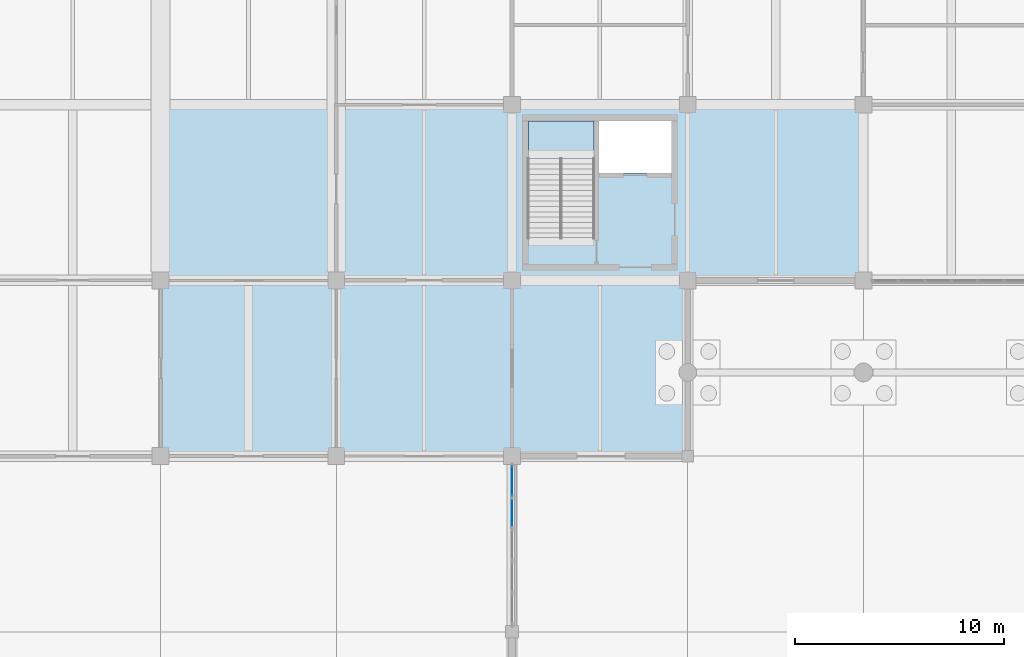
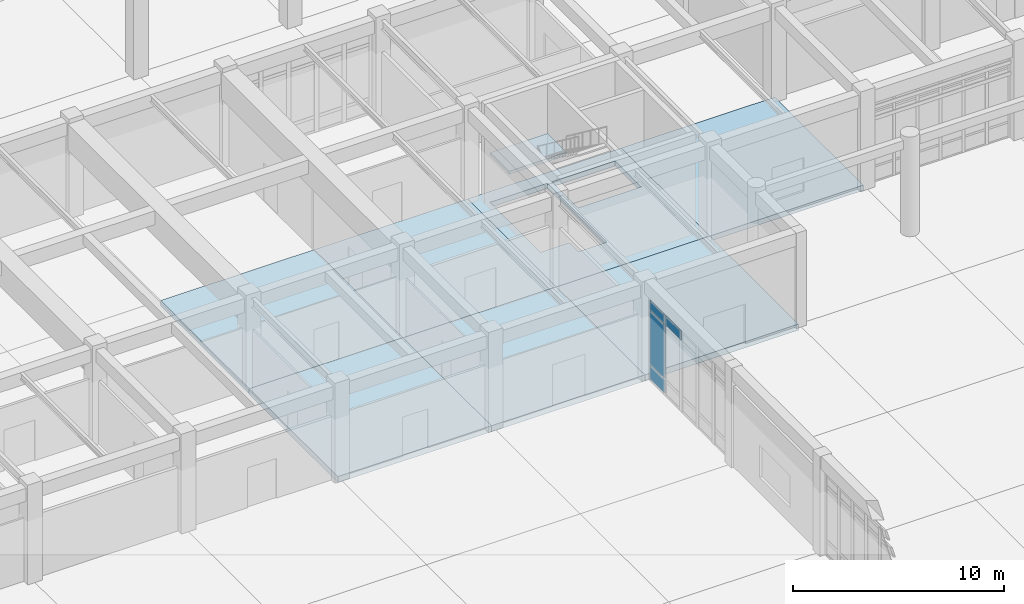
# One storey, part 51 of 91: 8 slabs, 4 plates, 2 elements without a shape of their own.
"""IFC4 building model written with IfcOpenShell, lengths in metres."""

from ifc_helpers import new_model, si_unit, direction, frame, origin, origin_2d, place, context, subcontext, project, spatial, polyline, rectangle, outline, extrude, material, layer, layer_set, type_object, element, aggregate, save


model = new_model("IFC4")

# Units and contexts
model_context = context("Model", 3, precision=1e-05, world=origin(), true_north=direction((0.0, 1.0)))
body_context = subcontext(model_context, "Body", "Model", "MODEL_VIEW")
ifc_project = project(units=[si_unit("LENGTHUNIT", "METRE"), si_unit("AREAUNIT", "SQUARE_METRE"), si_unit("VOLUMEUNIT", "CUBIC_METRE"), si_unit("PLANEANGLEUNIT", "RADIAN"), si_unit("MASSUNIT", "GRAM", prefix="KILO")], contexts=[model_context])

# Site, building, storey
site_placement = place(None, origin())
site = spatial("IfcSite", under=ifc_project, at=site_placement, CompositionType="ELEMENT")
building_placement = place(site_placement, origin())
building = spatial("IfcBuilding", under=site, at=building_placement, Name="Porcellanite Civic Hall", CompositionType="ELEMENT")
storey_placement = place(building_placement, origin())
storey = spatial("IfcBuildingStorey", under=building, at=storey_placement, Name="L00", CompositionType="ELEMENT", Elevation=0.0)

# Curtain wall, plates
ifc_material_1 = material(Name="Anodised aluminium and solar laminated glass", Category="aluminium")
ifc_layer_1 = layer(ifc_material_1, 0.179931640625)
ifc_layer_set_1 = layer_set([ifc_layer_1], Name="Anodised aluminium and solar laminated glass")
curtain_wall_type = type_object("IfcCurtainWallType", Name="CW-SYS01", PredefinedType="NOTDEFINED", material=ifc_layer_set_1)
curtain_wall_placement = place(storey_placement, origin())
curtain_wall = element("IfcCurtainWall", 1, at=curtain_wall_placement, inside=storey, type_object=curtain_wall_type, Name="Curtain wall CW-033", PredefinedType="NOTDEFINED")
ifc_material_2 = material(Name="Cyclone laminated solar-control low-E glass", Category="glass")
ifc_layer_2 = layer(ifc_material_2, 0.02392578125)
ifc_layer_set_2 = layer_set([ifc_layer_2], Name="Cyclone laminated solar-control low-E glass")
plate_type = type_object("IfcPlateType", Name="CWP-01", PredefinedType="CURTAIN_PANEL", material=ifc_layer_set_2)
plate_1_placement = place(storey_placement, frame((109.199951171875, 40.80908203125, 0.070068359375), z_axis=(0.0, 0.0, 1.0), x_axis=(0.0, -1.0, 0.0)))
plate_1 = element("IfcPlate", 2, at=plate_1_placement, type_object=plate_type, Name="CW-033 panel 1.1", PredefinedType="CURTAIN_PANEL", context=body_context, shape_type="SweptSolid", body=[
    extrude(rectangle(XDim=1.419677734375, YDim=0.02392578125, at=origin_2d()), origin(), (0.0, 0.0, 1.0), 0.794921875),
])
plate_2_placement = place(storey_placement, frame((109.199951171875, 40.80908203125, 0.93505859375), z_axis=(0.0, 0.0, 1.0), x_axis=(0.0, -1.0, 0.0)))
plate_2 = element("IfcPlate", 3, at=plate_2_placement, type_object=plate_type, Name="CW-033 panel 1.2", PredefinedType="CURTAIN_PANEL", context=body_context, shape_type="SweptSolid", body=[
    extrude(rectangle(XDim=1.419677734375, YDim=0.02392578125, at=origin_2d()), origin(), (0.0, 0.0, 1.0), 3.080078125),
])
plate_3_placement = place(storey_placement, frame((109.199951171875, 40.80908203125, 4.0849609375), z_axis=(0.0, 0.0, 1.0), x_axis=(0.0, -1.0, 0.0)))
plate_3 = element("IfcPlate", 4, at=plate_3_placement, type_object=plate_type, Name="CW-033 panel 1.3", PredefinedType="CURTAIN_PANEL", context=body_context, shape_type="SweptSolid", body=[
    extrude(rectangle(XDim=1.419677734375, YDim=0.02392578125, at=origin_2d()), origin(), (0.0, 0.0, 1.0), 0.544921875),
])
plate_4_placement = place(storey_placement, frame((109.199951171875, 39.28955078125, 4.0849609375), z_axis=(0.0, 0.0, 1.0), x_axis=(0.0, -1.0, 0.0)))
plate_4 = element("IfcPlate", 5, at=plate_4_placement, type_object=plate_type, Name="CW-033 panel 2.3", PredefinedType="CURTAIN_PANEL", context=body_context, shape_type="SweptSolid", body=[
    extrude(rectangle(XDim=1.459716796875, YDim=0.02392578125, at=origin_2d()), origin(), (0.0, 0.0, 1.0), 0.544921875),
])
aggregate(curtain_wall, [plate_1, plate_2, plate_3, plate_4])

# Stair, slab
ifc_material_3 = material(Name="Concrete N40 (40 MPa)", Category="concrete")
stair_type = type_object("IfcStairType", Name="STR-HT32", PredefinedType="HALF_TURN_STAIR", material=ifc_material_3)
stair_placement = place(storey_placement, origin())
stair = element("IfcStair", 6, at=stair_placement, inside=storey, type_object=stair_type, Name="Fire stair ST-06 L00", PredefinedType="HALF_TURN_STAIR")
ifc_material_4 = material(Name="Concrete N40 (40 MPa)", Category="concrete")
ifc_layer_3 = layer(ifc_material_4, 0.179931640625)
ifc_layer_set_3 = layer_set([ifc_layer_3], Name="Concrete N40 (40 MPa)")
slab_type_1 = type_object("IfcSlabType", Name="LND-18", PredefinedType="LANDING", material=ifc_layer_set_3)
slab_1_placement = place(storey_placement, frame((0.0, 0.0, 2.699951171875)))
slab_1 = element("IfcSlab", 7, at=slab_1_placement, type_object=slab_type_1, Name="ST-06 landing 1", PredefinedType="LANDING", context=body_context, shape_type="SweptSolid", body=[
    extrude(outline(polyline([(109.98046875, 56.22509765625), (113.119384765625, 56.22509765625), (113.119384765625, 58.01953125), (109.98046875, 58.01953125), (109.98046875, 56.22509765625)])), origin(), (0.0, 0.0, 1.0), 0.179931640625),
])
aggregate(stair, [slab_1])

# Slabs
ifc_material_5 = material(Name="Concrete N40 (40 MPa)", Category="concrete")
ifc_layer_4 = layer(ifc_material_5, 0.35009765625)
ifc_layer_set_4 = layer_set([ifc_layer_4], Name="Concrete N40 (40 MPa)")
slab_type_2 = type_object("IfcSlabType", Name="SL-BASE350", PredefinedType="BASESLAB", material=ifc_layer_set_4)
slab_2_placement = place(storey_placement, frame((0.0, 0.0, -0.35009765625)))
element("IfcSlab", 8, at=slab_2_placement, inside=storey, type_object=slab_type_2, Name="Slab L00 bay 12-6", PredefinedType="BASESLAB", context=body_context, shape_type="SweptSolid", body=[
    extrude(outline(polyline([(92.39990234375, 42.0), (100.800048828125, 42.0), (100.800048828125, 50.39990234375), (92.39990234375, 50.39990234375), (92.39990234375, 42.0)])), origin(), (0.0, 0.0, 1.0), 0.35009765625),
])
slab_3_placement = place(storey_placement, frame((0.0, 0.0, -0.35009765625)))
element("IfcSlab", 9, at=slab_3_placement, inside=storey, type_object=slab_type_2, Name="Slab L00 bay 13-6", PredefinedType="BASESLAB", context=body_context, shape_type="SweptSolid", body=[
    extrude(outline(polyline([(100.800048828125, 42.0), (109.199951171875, 42.0), (109.199951171875, 50.39990234375), (100.800048828125, 50.39990234375), (100.800048828125, 42.0)])), origin(), (0.0, 0.0, 1.0), 0.35009765625),
])
slab_4_placement = place(storey_placement, frame((0.0, 0.0, -0.35009765625)))
element("IfcSlab", 10, at=slab_4_placement, inside=storey, type_object=slab_type_2, Name="Slab L00 bay 14-6", PredefinedType="BASESLAB", context=body_context, shape_type="SweptSolid", body=[
    extrude(outline(polyline([(109.199951171875, 42.0), (117.60009765625, 42.0), (117.60009765625, 50.39990234375), (109.199951171875, 50.39990234375), (109.199951171875, 42.0)])), origin(), (0.0, 0.0, 1.0), 0.35009765625),
])
ifc_material_6 = material(Name="Concrete N40 (40 MPa)", Category="concrete")
ifc_layer_5 = layer(ifc_material_6, 0.300048828125)
ifc_layer_set_5 = layer_set([ifc_layer_5], Name="Concrete N40 (40 MPa)")
slab_type_3 = type_object("IfcSlabType", Name="SL-TR300", PredefinedType="FLOOR", material=ifc_layer_set_5)
slab_5_placement = place(storey_placement, frame((0.0, 0.0, -0.300048828125)))
element("IfcSlab", 11, at=slab_5_placement, inside=storey, type_object=slab_type_3, Name="Slab L00 bay 12-7", PredefinedType="FLOOR", context=body_context, shape_type="SweptSolid", body=[
    extrude(outline(polyline([(92.39990234375, 50.39990234375), (100.800048828125, 50.39990234375), (100.800048828125, 58.800048828125), (92.39990234375, 58.800048828125), (92.39990234375, 50.39990234375)])), origin(), (0.0, 0.0, 1.0), 0.300048828125),
])
slab_6_placement = place(storey_placement, frame((0.0, 0.0, -0.300048828125)))
element("IfcSlab", 12, at=slab_6_placement, inside=storey, type_object=slab_type_3, Name="Slab L00 bay 13-7", PredefinedType="FLOOR", context=body_context, shape_type="SweptSolid", body=[
    extrude(outline(polyline([(100.800048828125, 50.39990234375), (109.199951171875, 50.39990234375), (109.199951171875, 58.800048828125), (100.800048828125, 58.800048828125), (100.800048828125, 50.39990234375)])), origin(), (0.0, 0.0, 1.0), 0.300048828125),
])
slab_7_placement = place(storey_placement, frame((0.0, 0.0, -0.300048828125)))
element("IfcSlab", 13, at=slab_7_placement, inside=storey, type_object=slab_type_3, Name="Slab L00 bay 14-7", PredefinedType="FLOOR", context=body_context, shape_type="SweptSolid", body=[
    extrude(outline(polyline([(109.199951171875, 50.39990234375), (117.60009765625, 50.39990234375), (117.60009765625, 58.800048828125), (109.199951171875, 58.800048828125), (109.199951171875, 50.39990234375)]), holes=[polyline([(109.97998046875, 53.25), (111.56005859375, 53.25), (111.56005859375, 52.39990234375), (113.1201171875, 52.39990234375), (113.1201171875, 58.02001953125), (109.97998046875, 58.02001953125), (109.97998046875, 53.25)]), polyline([(113.360107421875, 55.5400390625), (116.820068359375, 55.5400390625), (116.820068359375, 58.02001953125), (113.360107421875, 58.02001953125), (113.360107421875, 55.5400390625)])]), origin(), (0.0, 0.0, 1.0), 0.300048828125),
])
slab_8_placement = place(storey_placement, frame((0.0, 0.0, -0.300048828125)))
element("IfcSlab", 14, at=slab_8_placement, inside=storey, type_object=slab_type_3, Name="Slab L00 bay 15-7", PredefinedType="FLOOR", context=body_context, shape_type="SweptSolid", body=[
    extrude(outline(polyline([(117.60009765625, 50.39990234375), (126.0, 50.39990234375), (126.0, 58.800048828125), (117.60009765625, 58.800048828125), (117.60009765625, 50.39990234375)])), origin(), (0.0, 0.0, 1.0), 0.300048828125),
])

save(model, "model.ifc")
